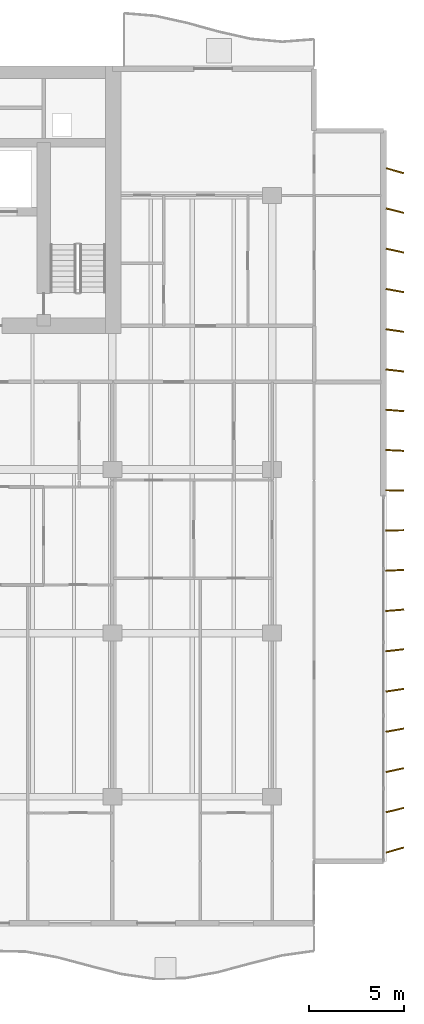
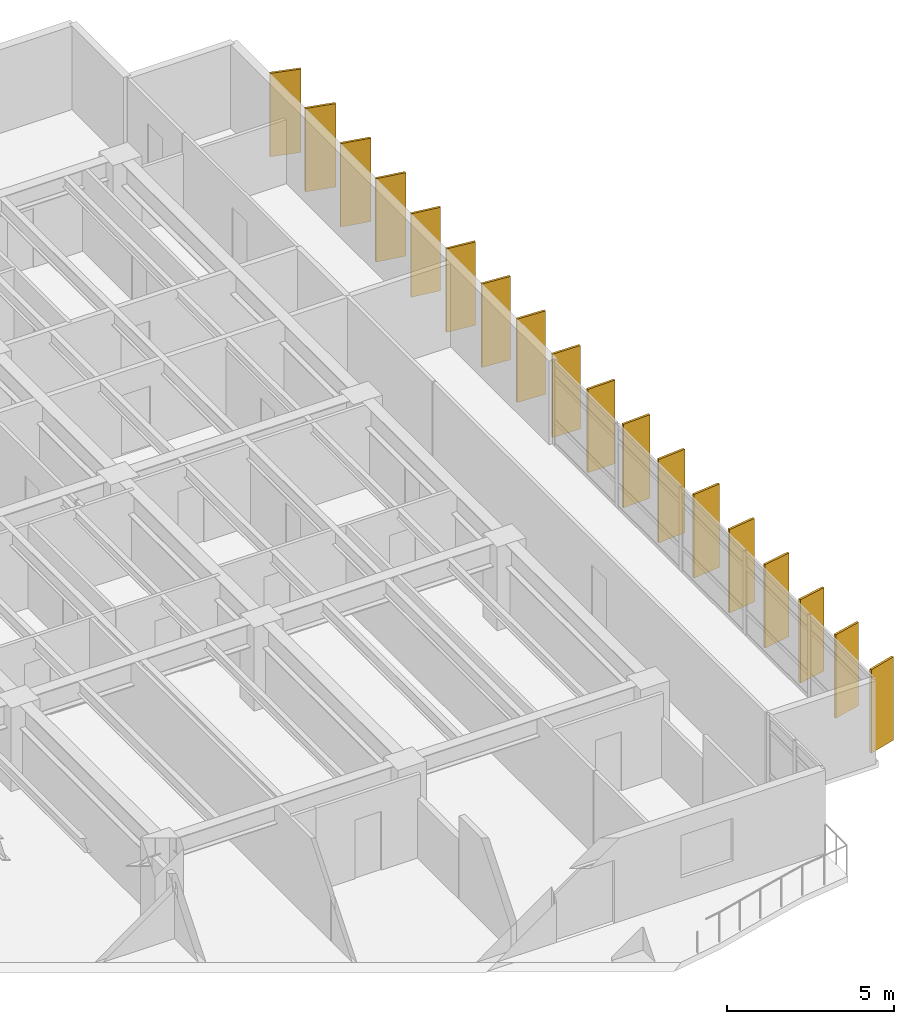
# One storey, part 15 of 15: 18 shading devices.
"""IFC4 building model written with IfcOpenShell, lengths in metres."""

from ifc_helpers import new_model, si_unit, direction, frame, origin, origin_2d, place, context, subcontext, project, spatial, rectangle, extrude, material, material_profile, profile_set, type_object, element, save


model = new_model("IFC4")

# Units and contexts
model_context = context("Model", 3, precision=1e-05, world=origin(), true_north=direction((0.0, 1.0)))
body_context = subcontext(model_context, "Body", "Model", "MODEL_VIEW")
ifc_project = project(units=[si_unit("LENGTHUNIT", "METRE"), si_unit("AREAUNIT", "SQUARE_METRE"), si_unit("VOLUMEUNIT", "CUBIC_METRE"), si_unit("PLANEANGLEUNIT", "RADIAN"), si_unit("MASSUNIT", "GRAM", prefix="KILO")], contexts=[model_context])

# Site, building, storey
site_placement = place(None, origin())
site = spatial("IfcSite", under=ifc_project, at=site_placement, CompositionType="ELEMENT")
building_placement = place(site_placement, origin())
building = spatial("IfcBuilding", under=site, at=building_placement, Name="Caelmar Bay Residences", CompositionType="ELEMENT")
storey_placement = place(building_placement, frame((0.0, 0.0, 135.60009765625)))
storey = spatial("IfcBuildingStorey", under=building, at=storey_placement, Name="L37", CompositionType="ELEMENT", Elevation=135.60009765625)

# Shading devices
ifc_material = material(Name="Anodised architectural bronze aluminium 6063-T6", Category="aluminium")
ifc_material_profile = material_profile(ifc_material, rectangle(XDim=0.074951171875, YDim=0.949951171875, at=origin_2d()), Name="BRONZE-FIN-75X950")
ifc_profile_set = profile_set([ifc_material_profile], Name="Anodised architectural bronze aluminium 6063-T6")
shading_device_type = type_object("IfcShadingDeviceType", Name="SHD-FIN-950", PredefinedType="USERDEFINED", material=ifc_profile_set)
for number, where, z_axis, x_axis, name in (
    (1, (74.35009765625, 9.39990234375, 0.0), (0.0, 0.0, 1.0), (-0.275637355817, 0.961261695938, 0.0), "L37 East Bronze Solar Fin 1"),
    (2, (74.35009765625, 11.5, 0.0), (0.0, 0.0, 1.0), (-0.243953546137, 0.969786918517, 0.0), "L37 East Bronze Solar Fin 2"),
    (3, (74.35009765625, 13.60009765625, 0.0), (0.0, 0.0, 1.0), (-0.212007109922, 0.977268123568, 0.0), "L37 East Bronze Solar Fin 3"),
    (4, (74.35009765625, 15.699951171875, 0.0), (0.0, 0.0, 1.0), (-0.179660748593, 0.98372862895, 0.0), "L37 East Bronze Solar Fin 4"),
    (5, (74.35009765625, 17.800048828125, 0.0), (0.0, 0.0, 1.0), (-0.147291543397, 0.989093120613, 0.0), "L37 East Bronze Solar Fin 5"),
    (6, (74.35009765625, 19.89990234375, 0.0), (0.0, 0.0, 1.0), (-0.114763772489, 0.993392810787, 0.0), "L37 East Bronze Solar Fin 6"),
    (7, (74.35009765625, 22.0, 0.0), (0.0, 0.0, 1.0), (-0.08211245342, 0.996623070671, 0.0), "L37 East Bronze Solar Fin 7"),
    (8, (74.35009765625, 24.10009765625, 0.0), (0.0, 0.0, 1.0), (-0.049198415926, 0.998789024705, 0.0), "L37 East Bronze Solar Fin 8"),
    (9, (74.35009765625, 26.199951171875, 0.0), (0.0, 0.0, 1.0), (-0.016405359001, 0.999865423043, 0.0), "L37 East Bronze Solar Fin 9"),
    (10, (74.35009765625, 28.300048828125, 0.0), (0.0, 0.0, 1.0), (0.016405359001, 0.999865423043, 0.0), "L37 East Bronze Solar Fin 10"),
    (11, (74.35009765625, 30.39990234375, 0.0), (0.0, 0.0, 1.0), (0.049198415926, 0.998789024705, 0.0), "L37 East Bronze Solar Fin 11"),
    (12, (74.35009765625, 32.5, 0.0), (0.0, 0.0, 1.0), (0.08211245342, 0.996623070671, 0.0), "L37 East Bronze Solar Fin 12"),
    (13, (74.35009765625, 34.60009765625, 0.0), (0.0, 0.0, 1.0), (0.114763772489, 0.993392810787, 0.0), "L37 East Bronze Solar Fin 13"),
    (14, (74.35009765625, 36.699951171875, 0.0), (0.0, 0.0, 1.0), (0.147291543397, 0.989093120613, 0.0), "L37 East Bronze Solar Fin 14"),
    (15, (74.35009765625, 38.800048828125, 0.0), (0.0, 0.0, 1.0), (0.179660748593, 0.98372862895, 0.0), "L37 East Bronze Solar Fin 15"),
    (16, (74.35009765625, 40.89990234375, 0.0), (0.0, 0.0, 1.0), (0.212007109922, 0.977268123568, 0.0), "L37 East Bronze Solar Fin 16"),
    (17, (74.35009765625, 43.0, 0.0), (0.0, 0.0, 1.0), (0.243953546137, 0.969786918517, 0.0), "L37 East Bronze Solar Fin 17"),
    (18, (74.35009765625, 45.10009765625, 0.0), (0.0, 0.0, 1.0), (0.275637355817, 0.961261695938, 0.0), "L37 East Bronze Solar Fin 18"),
):
    element("IfcShadingDevice", number, at=place(storey_placement, frame(where, z_axis=z_axis, x_axis=x_axis)), inside=storey, type_object=shading_device_type, Name=name, ObjectType="FIN", PredefinedType="USERDEFINED", context=body_context, shape_type="SweptSolid", body=[
        extrude(rectangle(XDim=0.074951171875, YDim=0.949951171875, at=origin_2d()), origin(), (0.0, 0.0, 1.0), 3.0498046875),
    ])

save(model, "model.ifc")
